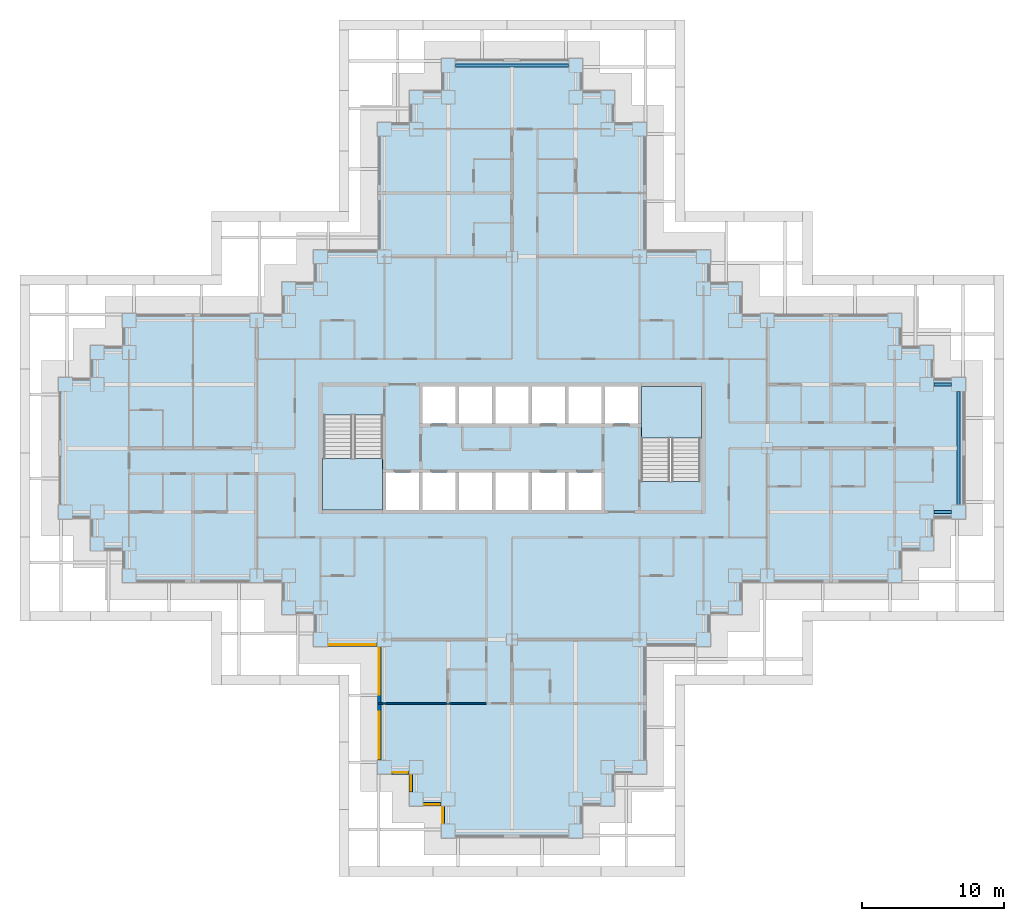
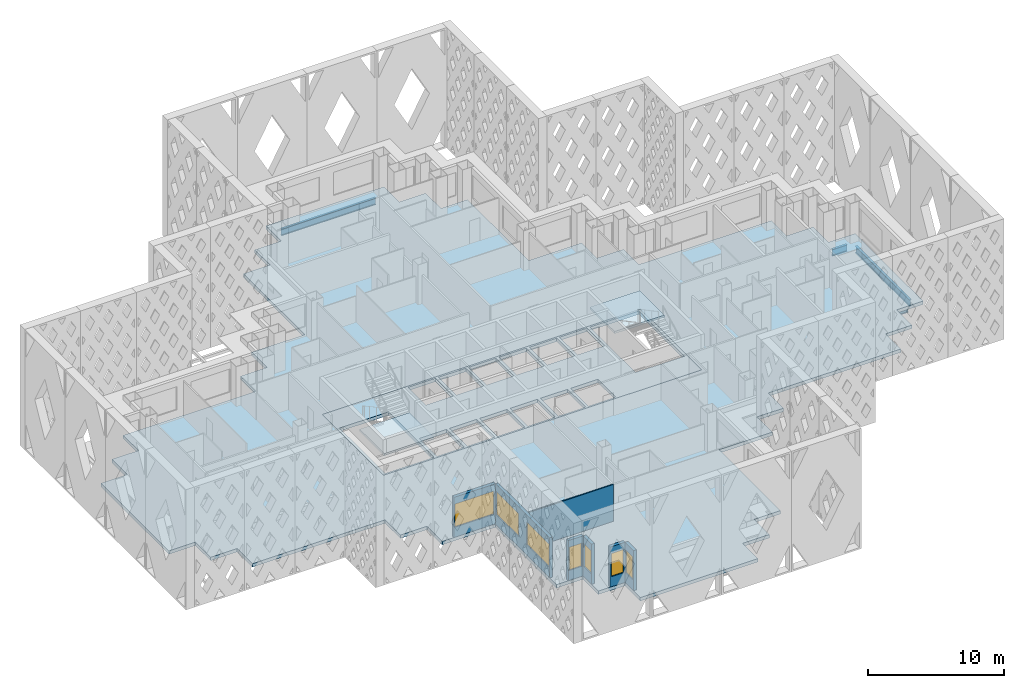
# One storey, part 2 of 19: 7 walls, 7 windows, 4 beams, 4 slabs, 7 openings, 2 elements without a shape of their own.
"""IFC4 building model written with IfcOpenShell, lengths in metres."""

from ifc_helpers import new_model, si_unit, direction, frame, frame_2d, origin, origin_2d, place, context, subcontext, project, spatial, polyline, rectangle, i_section, outline, extrude, material, layer, layer_set, material_profile, profile_set, type_object, element, fill, aggregate, save


model = new_model("IFC4")

# Units and contexts
model_context = context("Model", 3, precision=1e-05, world=origin(), true_north=direction((0.0, 1.0)))
body_context = subcontext(model_context, "Body", "Model", "MODEL_VIEW")
ifc_project = project(units=[si_unit("LENGTHUNIT", "METRE"), si_unit("AREAUNIT", "SQUARE_METRE"), si_unit("VOLUMEUNIT", "CUBIC_METRE"), si_unit("PLANEANGLEUNIT", "RADIAN"), si_unit("MASSUNIT", "GRAM", prefix="KILO")], contexts=[model_context])

# Site, building, storey
site_placement = place(None, origin())
site = spatial("IfcSite", under=ifc_project, at=site_placement, CompositionType="ELEMENT")
building_placement = place(site_placement, origin())
building = spatial("IfcBuilding", under=site, at=building_placement, Name="Caravel Reach Hotel and Residences", CompositionType="ELEMENT")
storey_placement = place(building_placement, frame((0.0, 0.0, 74.39990234375)))
storey = spatial("IfcBuildingStorey", under=building, at=storey_placement, Name="L17", CompositionType="ELEMENT", Elevation=74.39990234375)

# Beams
ifc_material_1 = material(Name="Structural steel Q355B", Category="steel")
ifc_material_profile = material_profile(ifc_material_1, i_section(OverallWidth=0.199951171875, OverallDepth=0.60009765625, WebThickness=0.010986328125, FlangeThickness=0.01708984375, FilletRadius=0.012939453125, at=origin_2d()), Name="HN 600x200x11x17")
ifc_profile_set = profile_set([ifc_material_profile], Name="Structural steel Q355B")
beam_type = type_object("IfcBeamType", Name="Spandrel beam HN 600x200x11x17", PredefinedType="SPANDREL", material=ifc_profile_set)
beam_1_placement = place(storey_placement, frame((61.25, 22.5, -0.599853515625), z_axis=(1.0, 0.0, 0.0), x_axis=(0.0, 1.0, 0.0)))
element("IfcBeam", 1, at=beam_1_placement, inside=storey, type_object=beam_type, Name="SP1 HN 600x200x11x17", PredefinedType="SPANDREL", context=body_context, shape_type="SweptSolid", body=[
    extrude(i_section(OverallWidth=0.199951171875, OverallDepth=0.60009765625, WebThickness=0.010986328125, FlangeThickness=0.01708984375, FilletRadius=0.012939453125, at=origin_2d()), origin(), (0.0, 0.0, 1.0), 1.25),
])
beam_2_placement = place(storey_placement, frame((63.0, 23.0, -0.599853515625), z_axis=(0.0, 1.0, 0.0), x_axis=(-1.0, 0.0, 0.0)))
element("IfcBeam", 2, at=beam_2_placement, inside=storey, type_object=beam_type, Name="SP1 HN 600x200x11x17", PredefinedType="SPANDREL", context=body_context, shape_type="SweptSolid", body=[
    extrude(i_section(OverallWidth=0.199951171875, OverallDepth=0.60009765625, WebThickness=0.010986328125, FlangeThickness=0.01708984375, FilletRadius=0.012939453125, at=origin_2d()), origin(), (0.0, 0.0, 1.0), 8.0),
])
beam_3_placement = place(storey_placement, frame((62.5, 31.5, -0.599853515625), z_axis=(-1.0, 0.0, 0.0), x_axis=(0.0, -1.0, 0.0)))
element("IfcBeam", 3, at=beam_3_placement, inside=storey, type_object=beam_type, Name="SP1 HN 600x200x11x17", PredefinedType="SPANDREL", context=body_context, shape_type="SweptSolid", body=[
    extrude(i_section(OverallWidth=0.199951171875, OverallDepth=0.60009765625, WebThickness=0.010986328125, FlangeThickness=0.01708984375, FilletRadius=0.012939453125, at=origin_2d()), origin(), (0.0, 0.0, 1.0), 1.25),
])
beam_4_placement = place(storey_placement, frame((35.5, 54.0, -0.599853515625), z_axis=(-1.0, 0.0, 0.0), x_axis=(0.0, -1.0, 0.0)))
element("IfcBeam", 4, at=beam_4_placement, inside=storey, type_object=beam_type, Name="SP1 HN 600x200x11x17", PredefinedType="SPANDREL", context=body_context, shape_type="SweptSolid", body=[
    extrude(i_section(OverallWidth=0.199951171875, OverallDepth=0.60009765625, WebThickness=0.010986328125, FlangeThickness=0.01708984375, FilletRadius=0.012939453125, at=origin_2d()), origin(), (0.0, 0.0, 1.0), 8.0),
])

# Slab
ifc_material_2 = material(Name="Concrete C40", Category="concrete")
ifc_layer_1 = layer(ifc_material_2, 0.300048828125)
ifc_layer_set_1 = layer_set([ifc_layer_1], Name="Core floor slab 300 mm")
slab_type_1 = type_object("IfcSlabType", Name="Core floor slab 300 mm", PredefinedType="FLOOR", material=ifc_layer_set_1)
slab_1_placement = place(storey_placement, frame((0.0, 0.0, -0.2998046875)))
element("IfcSlab", 5, at=slab_1_placement, inside=storey, type_object=slab_type_1, Name="L17 core floor", PredefinedType="FLOOR", context=body_context, shape_type="SweptSolid", body=[
    extrude(outline(polyline([(18.0, 31.5), (45.0, 31.5), (45.0, 22.5), (18.0, 22.5), (18.0, 31.5)]), holes=[polyline([(22.625, 25.27490234375), (22.625, 22.64990234375), (24.9462890625, 22.64990234375), (24.9462890625, 25.27490234375), (22.625, 25.27490234375)]), polyline([(27.517822265625, 25.27490234375), (25.1962890625, 25.27490234375), (25.1962890625, 22.64990234375), (27.517822265625, 22.64990234375), (27.517822265625, 25.27490234375)]), polyline([(30.08935546875, 25.27490234375), (27.767822265625, 25.27490234375), (27.767822265625, 22.64990234375), (30.08935546875, 22.64990234375), (30.08935546875, 25.27490234375)]), polyline([(32.66064453125, 25.27490234375), (30.33935546875, 25.27490234375), (30.33935546875, 22.64990234375), (32.66064453125, 22.64990234375), (32.66064453125, 25.27490234375)]), polyline([(18.22509765625, 22.64990234375), (22.375, 22.64990234375), (22.375, 29.35009765625), (18.22509765625, 29.35009765625), (18.22509765625, 22.64990234375)]), polyline([(27.517822265625, 31.35009765625), (25.1962890625, 31.35009765625), (25.1962890625, 28.72509765625), (27.517822265625, 28.72509765625), (27.517822265625, 31.35009765625)]), polyline([(30.08935546875, 31.35009765625), (27.767822265625, 31.35009765625), (27.767822265625, 28.72509765625), (30.08935546875, 28.72509765625), (30.08935546875, 31.35009765625)]), polyline([(32.91064453125, 25.27490234375), (32.91064453125, 22.64990234375), (35.232177734375, 22.64990234375), (35.232177734375, 25.27490234375), (32.91064453125, 25.27490234375)]), polyline([(37.8037109375, 25.27490234375), (35.482177734375, 25.27490234375), (35.482177734375, 22.64990234375), (37.8037109375, 22.64990234375), (37.8037109375, 25.27490234375)]), polyline([(44.77490234375, 31.35009765625), (40.625, 31.35009765625), (40.625, 24.64990234375), (44.77490234375, 24.64990234375), (44.77490234375, 31.35009765625)]), polyline([(32.66064453125, 31.35009765625), (30.33935546875, 31.35009765625), (30.33935546875, 28.72509765625), (32.66064453125, 28.72509765625), (32.66064453125, 31.35009765625)]), polyline([(35.232177734375, 31.35009765625), (32.91064453125, 31.35009765625), (32.91064453125, 28.72509765625), (35.232177734375, 28.72509765625), (35.232177734375, 31.35009765625)]), polyline([(37.8037109375, 31.35009765625), (35.482177734375, 31.35009765625), (35.482177734375, 28.72509765625), (37.8037109375, 28.72509765625), (37.8037109375, 31.35009765625)]), polyline([(40.375, 31.35009765625), (38.0537109375, 31.35009765625), (38.0537109375, 28.72509765625), (40.375, 28.72509765625), (40.375, 31.35009765625)])]), origin(), (0.0, 0.0, 1.0), 0.2998046875),
])

# Stair, slab
ifc_material_3 = material(Name="Concrete C40", Category="concrete")
stair_type = type_object("IfcStairType", Name="Core stair", PredefinedType="HALF_TURN_STAIR", material=ifc_material_3)
stair_1_placement = place(storey_placement, origin())
stair_1 = element("IfcStair", 6, at=stair_1_placement, inside=storey, type_object=stair_type, Name="L17 Exit stair A", PredefinedType="HALF_TURN_STAIR")
ifc_material_4 = material(Name="Concrete C40", Category="concrete")
ifc_layer_2 = layer(ifc_material_4, 0.199951171875)
ifc_layer_set_2 = layer_set([ifc_layer_2], Name="Core stair landing")
slab_type_2 = type_object("IfcSlabType", Name="Core stair landing", PredefinedType="LANDING", material=ifc_layer_set_2)
slab_2_placement = place(storey_placement, frame((0.0, 0.0, 1.60009765625)))
slab_2 = element("IfcSlab", 7, at=slab_2_placement, type_object=slab_type_2, Name="ST-A landing 1", PredefinedType="LANDING", context=body_context, shape_type="SweptSolid", body=[
    extrude(outline(polyline([(18.14990234375, 26.27001953125), (18.14990234375, 22.64990234375), (22.375, 22.64990234375), (22.375, 26.27001953125), (18.14990234375, 26.27001953125)])), origin(), (0.0, 0.0, 1.0), 0.199951171875),
])
aggregate(stair_1, [slab_2])

stair_2_placement = place(storey_placement, origin())
stair_2 = element("IfcStair", 8, at=stair_2_placement, inside=storey, type_object=stair_type, Name="L17 Exit stair B", PredefinedType="HALF_TURN_STAIR")
slab_3_placement = place(storey_placement, frame((0.0, 0.0, 1.60009765625)))
slab_3 = element("IfcSlab", 9, at=slab_3_placement, type_object=slab_type_2, Name="ST-B landing 1", PredefinedType="LANDING", context=body_context, shape_type="SweptSolid", body=[
    extrude(outline(polyline([(44.85009765625, 27.72998046875), (44.85009765625, 31.35009765625), (40.625, 31.35009765625), (40.625, 27.72998046875), (44.85009765625, 27.72998046875)])), origin(), (0.0, 0.0, 1.0), 0.199951171875),
])
aggregate(stair_2, [slab_3])

# Slab
ifc_material_5 = material(Name="Concrete C40 post-tensioned", Category="concrete")
ifc_layer_3 = layer(ifc_material_5, 0.300048828125)
ifc_layer_set_3 = layer_set([ifc_layer_3], Name="Floor slab 300")
slab_type_3 = type_object("IfcSlabType", Name="Floor slab 300", PredefinedType="FLOOR", material=ifc_layer_set_3)
slab_4_placement = place(storey_placement, frame((0.0, 0.0, -0.2998046875)))
element("IfcSlab", 10, at=slab_4_placement, inside=storey, type_object=slab_type_3, Name="S2 slab L17", PredefinedType="FLOOR", context=body_context, shape_type="SweptSolid", body=[
    extrude(outline(polyline([(17.5, 13.0), (17.5, 15.25), (15.25, 15.25), (15.25, 17.5), (4.0, 17.5), (4.0, 19.75), (1.75, 19.75), (1.75, 22.0), (-0.5, 22.0), (-0.5, 32.0), (1.75, 32.0), (1.75, 34.25), (4.0, 34.25), (4.0, 36.5), (15.25, 36.5), (15.25, 38.75), (17.5, 38.75), (17.5, 41.0), (22.0, 41.0), (22.0, 50.0), (24.25, 50.0), (24.25, 52.25), (26.5, 52.25), (26.5, 54.5), (36.5, 54.5), (36.5, 52.25), (38.75, 52.25), (38.75, 50.0), (41.0, 50.0), (41.0, 41.0), (45.5, 41.0), (45.5, 38.75), (47.75, 38.75), (47.75, 36.5), (59.0, 36.5), (59.0, 34.25), (61.25, 34.25), (61.25, 32.0), (63.5, 32.0), (63.5, 22.0), (61.25, 22.0), (61.25, 19.75), (59.0, 19.75), (59.0, 17.5), (47.75, 17.5), (47.75, 15.25), (45.5, 15.25), (45.5, 13.0), (41.0, 13.0), (41.0, 4.0), (38.75, 4.0), (38.75, 1.75), (36.5, 1.75), (36.5, -0.5), (26.5, -0.5), (26.5, 1.75), (24.25, 1.75), (24.25, 4.0), (22.0, 4.0), (22.0, 13.0), (17.5, 13.0)]), holes=[polyline([(45.0, 31.5), (18.0, 31.5), (18.0, 22.5), (45.0, 22.5), (45.0, 31.5)])]), origin(), (0.0, 0.0, 1.0), 0.2998046875),
])

# Wall, opening, window
ifc_material_6 = material(Name="Insulated rainscreen wall, aluminium cladding", Category="aluminium")
ifc_layer_4 = layer(ifc_material_6, 0.25)
ifc_layer_set_4 = layer_set([ifc_layer_4], Name="EW1 Tower rainscreen wall")
wall_type_1 = type_object("IfcWallType", Name="EW1 Tower rainscreen wall", PredefinedType="SOLIDWALL", material=ifc_layer_set_4)
wall_1_placement = place(storey_placement, frame((23.0, 4.125, 0.0), z_axis=(0.0, 0.0, 1.0), x_axis=(1.0, 0.0, 0.0)))
wall_1 = element("IfcWall", 11, at=wall_1_placement, inside=storey, type_object=wall_type_1, Name="External wall L17 S1.1", PredefinedType="SOLIDWALL", context=body_context, shape_type="SweptSolid", body=[
    extrude(rectangle(XDim=1.25, YDim=0.25, at=frame_2d((0.625, 0.0))), origin(), (0.0, 0.0, 1.0), 3.60009765625),
])
opening_1_placement = place(wall_1_placement, frame((0.10009765625, 0.0, 0.89990234375)))
opening_1 = element("IfcOpeningElement", 12, at=opening_1_placement, cuts=wall_1, Name="Opening WN3", PredefinedType="OPENING", context=body_context, shape_type="SweptSolid", body=[
    extrude(rectangle(XDim=1.050048828125, YDim=2.080078125, at=frame_2d((0.52490234375, 1.0400390625))), frame((0.0, 0.135009765625, 0.0), z_axis=(0.0, -1.0, 0.0), x_axis=(1.0, 0.0, 0.0)), (0.0, 0.0, 1.0), 0.27001953125),
])
ifc_material_7 = material(Name="Dark low-e glazing in black aluminium frame", Category="aluminium")
window_type_1 = type_object("IfcWindowType", Name="Hotel suite corner window 1050 x 2080", PartitioningType="SINGLE_PANEL", PredefinedType="WINDOW", material=ifc_material_7)
window_1_placement = place(opening_1_placement, origin())
window_1 = element("IfcWindow", 13, at=window_1_placement, inside=storey, type_object=window_type_1, Name="Window L17 S1.1.1", OverallHeight=2.080078125, OverallWidth=1.050048828125, PartitioningType="SINGLE_PANEL", PredefinedType="WINDOW", context=body_context, shape_type="SweptSolid", body=[
    extrude(rectangle(XDim=1.050048828125, YDim=2.080078125, at=frame_2d((0.52490234375, 1.0400390625))), frame((0.0, 0.030029296875, 0.0), z_axis=(0.0, -1.0, 0.0), x_axis=(1.0, 0.0, 0.0)), (0.0, 0.0, 1.0), 0.06005859375),
])
fill(opening_1, window_1)

wall_2_placement = place(storey_placement, frame((24.375, 4.0, 0.0), z_axis=(0.0, 0.0, 1.0), x_axis=(0.0, -1.0, 0.0)))
wall_2 = element("IfcWall", 14, at=wall_2_placement, inside=storey, type_object=wall_type_1, Name="External wall L17 W2.1", PredefinedType="SOLIDWALL", context=body_context, shape_type="SweptSolid", body=[
    extrude(rectangle(XDim=1.25, YDim=0.25, at=frame_2d((0.625, 0.0))), origin(), (0.0, 0.0, 1.0), 3.60009765625),
])
opening_2_placement = place(wall_2_placement, frame((0.10009765625, 0.0, 0.89990234375)))
opening_2 = element("IfcOpeningElement", 15, at=opening_2_placement, cuts=wall_2, Name="Opening WN3", PredefinedType="OPENING", context=body_context, shape_type="SweptSolid", body=[
    extrude(rectangle(XDim=1.050048828125, YDim=2.080078125, at=frame_2d((0.52490234375, 1.0400390625))), frame((0.0, 0.135009765625, 0.0), z_axis=(0.0, -1.0, 0.0), x_axis=(1.0, 0.0, 0.0)), (0.0, 0.0, 1.0), 0.27001953125),
])
window_2_placement = place(opening_2_placement, origin())
window_2 = element("IfcWindow", 16, at=window_2_placement, inside=storey, type_object=window_type_1, Name="Window L17 W2.1.1", OverallHeight=2.080078125, OverallWidth=1.050048828125, PartitioningType="SINGLE_PANEL", PredefinedType="WINDOW", context=body_context, shape_type="SweptSolid", body=[
    extrude(rectangle(XDim=1.050048828125, YDim=2.080078125, at=frame_2d((0.52490234375, 1.0400390625))), frame((0.0, 0.030029296875, 0.0), z_axis=(0.0, -1.0, 0.0), x_axis=(1.0, 0.0, 0.0)), (0.0, 0.0, 1.0), 0.06005859375),
])
fill(opening_2, window_2)

wall_3_placement = place(storey_placement, frame((25.25, 1.875, 0.0), z_axis=(0.0, 0.0, 1.0), x_axis=(1.0, 0.0, 0.0)))
wall_3 = element("IfcWall", 17, at=wall_3_placement, inside=storey, type_object=wall_type_1, Name="External wall L17 S3.1", PredefinedType="SOLIDWALL", context=body_context, shape_type="SweptSolid", body=[
    extrude(rectangle(XDim=1.25, YDim=0.25, at=frame_2d((0.625, 0.0))), origin(), (0.0, 0.0, 1.0), 3.60009765625),
])
opening_3_placement = place(wall_3_placement, frame((0.10009765625, 0.0, 0.89990234375)))
opening_3 = element("IfcOpeningElement", 18, at=opening_3_placement, cuts=wall_3, Name="Opening WN3", PredefinedType="OPENING", context=body_context, shape_type="SweptSolid", body=[
    extrude(rectangle(XDim=1.050048828125, YDim=2.080078125, at=frame_2d((0.52490234375, 1.0400390625))), frame((0.0, 0.135009765625, 0.0), z_axis=(0.0, -1.0, 0.0), x_axis=(1.0, 0.0, 0.0)), (0.0, 0.0, 1.0), 0.27001953125),
])
window_3_placement = place(opening_3_placement, origin())
window_3 = element("IfcWindow", 19, at=window_3_placement, inside=storey, type_object=window_type_1, Name="Window L17 S3.1.1", OverallHeight=2.080078125, OverallWidth=1.050048828125, PartitioningType="SINGLE_PANEL", PredefinedType="WINDOW", context=body_context, shape_type="SweptSolid", body=[
    extrude(rectangle(XDim=1.050048828125, YDim=2.080078125, at=frame_2d((0.52490234375, 1.0400390625))), frame((0.0, 0.030029296875, 0.0), z_axis=(0.0, -1.0, 0.0), x_axis=(1.0, 0.0, 0.0)), (0.0, 0.0, 1.0), 0.06005859375),
])
fill(opening_3, window_3)

wall_4_placement = place(storey_placement, frame((26.625, 1.75, 0.0), z_axis=(0.0, 0.0, 1.0), x_axis=(0.0, -1.0, 0.0)))
wall_4 = element("IfcWall", 20, at=wall_4_placement, inside=storey, type_object=wall_type_1, Name="External wall L17 W4.1", PredefinedType="SOLIDWALL", context=body_context, shape_type="SweptSolid", body=[
    extrude(rectangle(XDim=1.25, YDim=0.25, at=frame_2d((0.625, 0.0))), origin(), (0.0, 0.0, 1.0), 3.60009765625),
])
opening_4_placement = place(wall_4_placement, frame((0.10009765625, 0.0, 0.89990234375)))
opening_4 = element("IfcOpeningElement", 21, at=opening_4_placement, cuts=wall_4, Name="Opening WN3", PredefinedType="OPENING", context=body_context, shape_type="SweptSolid", body=[
    extrude(rectangle(XDim=1.050048828125, YDim=2.080078125, at=frame_2d((0.52490234375, 1.0400390625))), frame((0.0, 0.135009765625, 0.0), z_axis=(0.0, -1.0, 0.0), x_axis=(1.0, 0.0, 0.0)), (0.0, 0.0, 1.0), 0.27001953125),
])
window_4_placement = place(opening_4_placement, origin())
window_4 = element("IfcWindow", 22, at=window_4_placement, inside=storey, type_object=window_type_1, Name="Window L17 W4.1.1", OverallHeight=2.080078125, OverallWidth=1.050048828125, PartitioningType="SINGLE_PANEL", PredefinedType="WINDOW", context=body_context, shape_type="SweptSolid", body=[
    extrude(rectangle(XDim=1.050048828125, YDim=2.080078125, at=frame_2d((0.52490234375, 1.0400390625))), frame((0.0, 0.030029296875, 0.0), z_axis=(0.0, -1.0, 0.0), x_axis=(1.0, 0.0, 0.0)), (0.0, 0.0, 1.0), 0.06005859375),
])
fill(opening_4, window_4)

wall_5_placement = place(storey_placement, frame((18.5, 13.125, 0.0), z_axis=(0.0, 0.0, 1.0), x_axis=(1.0, 0.0, 0.0)))
wall_5 = element("IfcWall", 23, at=wall_5_placement, inside=storey, type_object=wall_type_1, Name="External wall L17 S59.1", PredefinedType="SOLIDWALL", context=body_context, shape_type="SweptSolid", body=[
    extrude(rectangle(XDim=3.5, YDim=0.25, at=frame_2d((1.75, 0.0))), origin(), (0.0, 0.0, 1.0), 3.60009765625),
])
opening_5_placement = place(wall_5_placement, frame((0.10009765625, 0.0, 0.89990234375)))
opening_5 = element("IfcOpeningElement", 24, at=opening_5_placement, cuts=wall_5, Name="Opening WN4", PredefinedType="OPENING", context=body_context, shape_type="SweptSolid", body=[
    extrude(rectangle(XDim=3.300048828125, YDim=2.080078125, at=frame_2d((1.64990234375, 1.0400390625))), frame((0.0, 0.135009765625, 0.0), z_axis=(0.0, -1.0, 0.0), x_axis=(1.0, 0.0, 0.0)), (0.0, 0.0, 1.0), 0.27001953125),
])
ifc_material_8 = material(Name="Dark low-e glazing in black aluminium frame", Category="aluminium")
window_type_2 = type_object("IfcWindowType", Name="Hotel guest room window 3300 x 2080", PartitioningType="SINGLE_PANEL", PredefinedType="WINDOW", material=ifc_material_8)
window_5_placement = place(opening_5_placement, origin())
window_5 = element("IfcWindow", 25, at=window_5_placement, inside=storey, type_object=window_type_2, Name="Window L17 S59.1.1", OverallHeight=2.080078125, OverallWidth=3.300048828125, PartitioningType="SINGLE_PANEL", PredefinedType="WINDOW", context=body_context, shape_type="SweptSolid", body=[
    extrude(rectangle(XDim=3.300048828125, YDim=2.080078125, at=frame_2d((1.64990234375, 1.0400390625))), frame((0.0, 0.030029296875, 0.0), z_axis=(0.0, -1.0, 0.0), x_axis=(1.0, 0.0, 0.0)), (0.0, 0.0, 1.0), 0.06005859375),
])
fill(opening_5, window_5)

# Wall, openings, windows
wall_6_placement = place(storey_placement, frame((22.125, 13.0, 0.0), z_axis=(0.0, 0.0, 1.0), x_axis=(0.0, -1.0, 0.0)))
wall_6 = element("IfcWall", 26, at=wall_6_placement, inside=storey, type_object=wall_type_1, Name="External wall L17 W60.1", PredefinedType="SOLIDWALL", context=body_context, shape_type="SweptSolid", body=[
    extrude(rectangle(XDim=8.0, YDim=0.25, at=frame_2d((4.0, 0.0))), origin(), (0.0, 0.0, 1.0), 3.60009765625),
])
opening_6_placement = place(wall_6_placement, frame((0.10009765625, 0.0, 0.89990234375)))
opening_6 = element("IfcOpeningElement", 27, at=opening_6_placement, cuts=wall_6, Name="Opening WN4", PredefinedType="OPENING", context=body_context, shape_type="SweptSolid", body=[
    extrude(rectangle(XDim=3.300048828125, YDim=2.080078125, at=frame_2d((1.64990234375, 1.0400390625))), frame((0.0, 0.135009765625, 0.0), z_axis=(0.0, -1.0, 0.0), x_axis=(1.0, 0.0, 0.0)), (0.0, 0.0, 1.0), 0.27001953125),
])
opening_7_placement = place(wall_6_placement, frame((4.60009765625, 0.0, 0.89990234375)))
opening_7 = element("IfcOpeningElement", 28, at=opening_7_placement, cuts=wall_6, Name="Opening WN4", PredefinedType="OPENING", context=body_context, shape_type="SweptSolid", body=[
    extrude(rectangle(XDim=3.300048828125, YDim=2.080078125, at=frame_2d((1.64990234375, 1.0400390625))), frame((0.0, 0.135009765625, 0.0), z_axis=(0.0, -1.0, 0.0), x_axis=(1.0, 0.0, 0.0)), (0.0, 0.0, 1.0), 0.27001953125),
])
window_6_placement = place(opening_6_placement, origin())
window_6 = element("IfcWindow", 29, at=window_6_placement, inside=storey, type_object=window_type_2, Name="Window L17 W60.1.1", OverallHeight=2.080078125, OverallWidth=3.300048828125, PartitioningType="SINGLE_PANEL", PredefinedType="WINDOW", context=body_context, shape_type="SweptSolid", body=[
    extrude(rectangle(XDim=3.300048828125, YDim=2.080078125, at=frame_2d((1.64990234375, 1.0400390625))), frame((0.0, 0.030029296875, 0.0), z_axis=(0.0, -1.0, 0.0), x_axis=(1.0, 0.0, 0.0)), (0.0, 0.0, 1.0), 0.06005859375),
])
fill(opening_6, window_6)
window_7_placement = place(opening_7_placement, origin())
window_7 = element("IfcWindow", 30, at=window_7_placement, inside=storey, type_object=window_type_2, Name="Window L17 W60.1.2", OverallHeight=2.080078125, OverallWidth=3.300048828125, PartitioningType="SINGLE_PANEL", PredefinedType="WINDOW", context=body_context, shape_type="SweptSolid", body=[
    extrude(rectangle(XDim=3.300048828125, YDim=2.080078125, at=frame_2d((1.64990234375, 1.0400390625))), frame((0.0, 0.030029296875, 0.0), z_axis=(0.0, -1.0, 0.0), x_axis=(1.0, 0.0, 0.0)), (0.0, 0.0, 1.0), 0.06005859375),
])
fill(opening_7, window_7)

# Wall
ifc_material_9 = material(Name="Gypsum board on steel stud", Category="steel")
ifc_layer_5 = layer(ifc_material_9, 0.10009765625)
ifc_layer_set_5 = layer_set([ifc_layer_5], Name="Partition 100 mm")
wall_type_2 = type_object("IfcWallType", Name="Partition 100 mm", PredefinedType="PARTITIONING", material=ifc_layer_set_5)
wall_7_placement = place(storey_placement, frame((22.06005859375, 9.0, 0.0), z_axis=(0.0, 0.0, 1.0), x_axis=(1.0, 0.0, 0.0)))
element("IfcWall", 31, at=wall_7_placement, inside=storey, type_object=wall_type_2, Name="L17 wall w056", PredefinedType="PARTITIONING", context=body_context, shape_type="SweptSolid", body=[
    extrude(rectangle(XDim=7.639892578125, YDim=0.10009765625, at=frame_2d((3.81982421875, 0.0))), origin(), (0.0, 0.0, 1.0), 3.300048828125),
])

save(model, "model.ifc")
